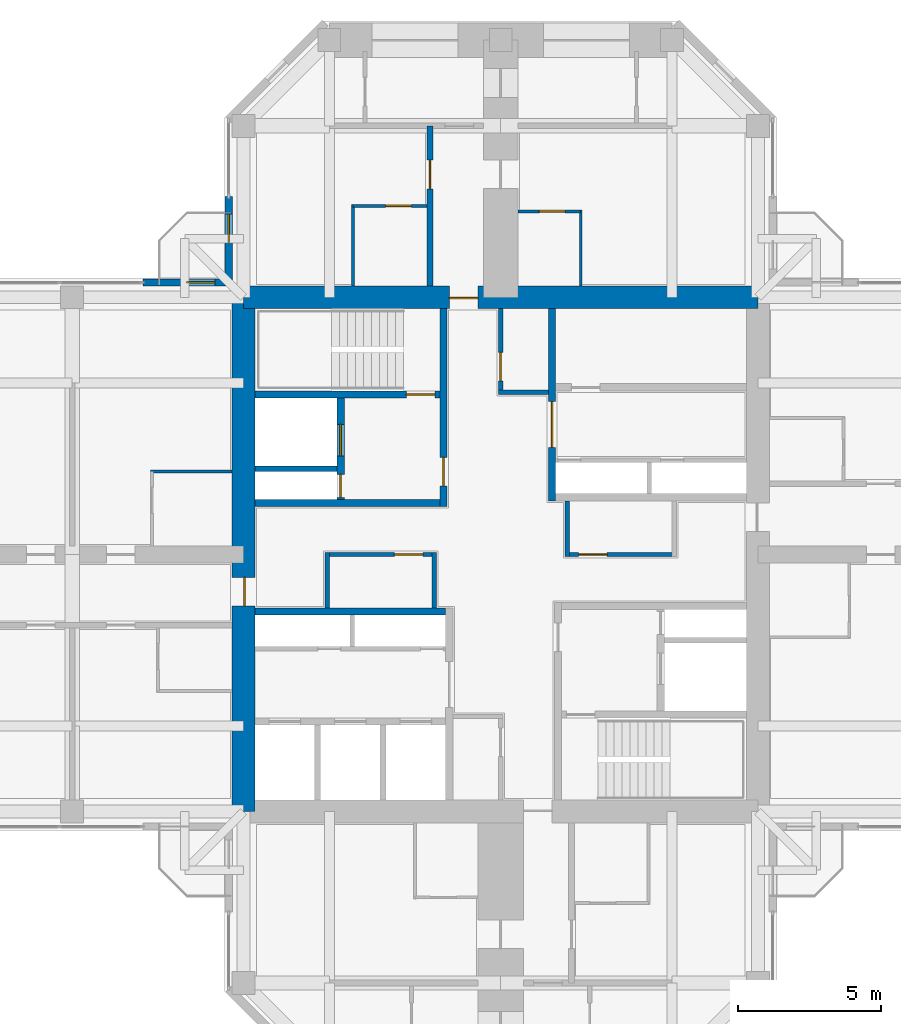
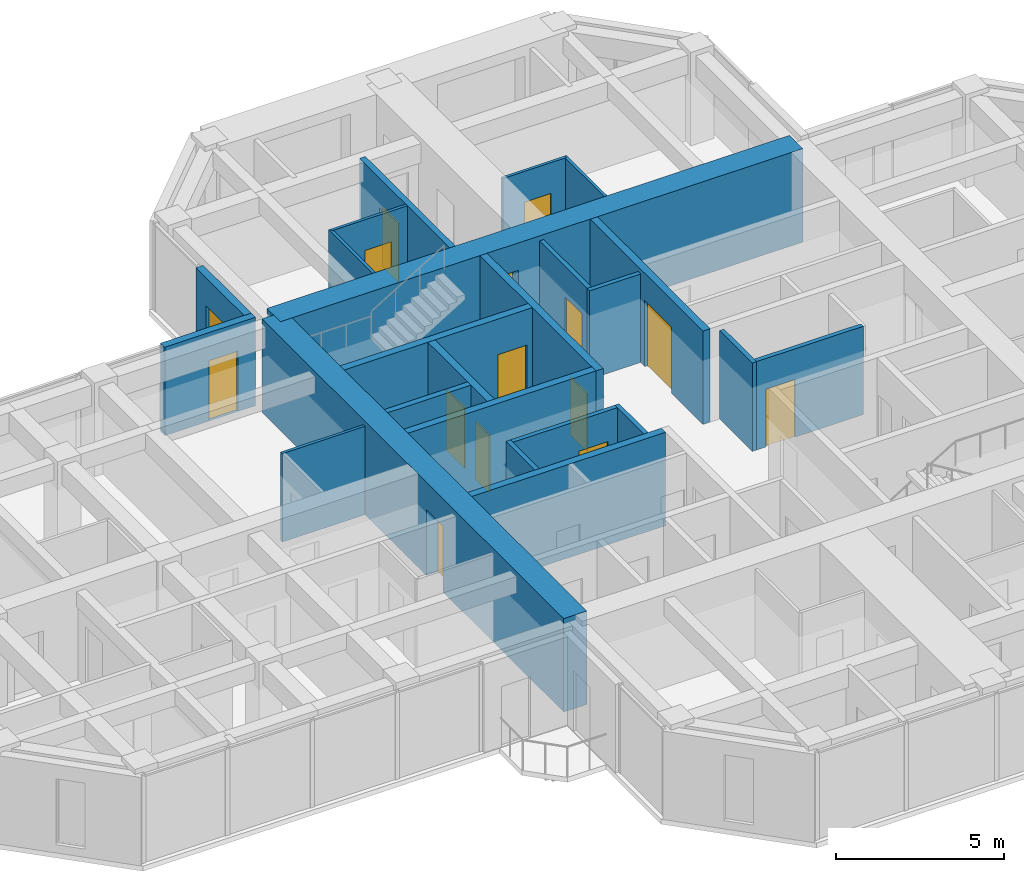
# One storey, part 10 of 14: 24 walls, 15 doors, 15 openings.
"""IFC4 building model written with IfcOpenShell, lengths in metres."""

from ifc_helpers import new_model, si_unit, direction, frame, frame_2d, origin, place, context, subcontext, project, spatial, rectangle, hollow_rectangle, extrude, material, layer, layer_set, constituent, constituent_set, type_object, element, fill, save


model = new_model("IFC4")

# Units and contexts
model_context = context("Model", 3, precision=1e-05, world=origin(), true_north=direction((0.0, 1.0)))
body_context = subcontext(model_context, "Body", "Model", "MODEL_VIEW")
ifc_project = project(units=[si_unit("LENGTHUNIT", "METRE"), si_unit("AREAUNIT", "SQUARE_METRE"), si_unit("VOLUMEUNIT", "CUBIC_METRE"), si_unit("PLANEANGLEUNIT", "RADIAN"), si_unit("MASSUNIT", "GRAM", prefix="KILO")], contexts=[model_context])

# Site, building, storey
site_placement = place(None, origin())
site = spatial("IfcSite", under=ifc_project, at=site_placement, CompositionType="ELEMENT")
building_placement = place(site_placement, origin())
building = spatial("IfcBuilding", under=site, at=building_placement, Name="Torre Cruceta", CompositionType="ELEMENT")
storey_placement = place(building_placement, frame((0.0, 0.0, 228.89990234375)))
storey = spatial("IfcBuildingStorey", under=building, at=storey_placement, Name="L58", CompositionType="ELEMENT", Elevation=228.89990234375)

# Wall
ifc_material_1 = material(Name="Water-resistant plasterboard on steel studs", Category="steel")
ifc_layer_1 = layer(ifc_material_1, 0.10009765625)
ifc_layer_set_1 = layer_set([ifc_layer_1], Name="Water-resistant plasterboard on steel studs")
wall_type_1 = type_object("IfcWallType", Name="BATHROOM WALL 100", PredefinedType="PARTITIONING", material=ifc_layer_set_1)
wall_1_placement = place(storey_placement, frame((-5.175048828125, 9.39990234375, 0.0), z_axis=(0.0, 0.0, 1.0), x_axis=(0.0, 1.0, 0.0)))
element("IfcWall", 1, at=wall_1_placement, inside=storey, type_object=wall_type_1, Name="PT4 L58-N-U1LBB", PredefinedType="PARTITIONING", context=body_context, shape_type="SweptSolid", body=[
    extrude(rectangle(XDim=2.85009765625, YDim=0.10009765625, at=frame_2d((1.425048828125, 0.0))), origin(), (0.0, 0.0, 1.0), 3.22021484375),
])

# Wall, opening, door
wall_2_placement = place(storey_placement, frame((-2.574951171875, 12.199951171875, 0.0), z_axis=(0.0, 0.0, 1.0), x_axis=(-1.0, 0.0, 0.0)))
wall_2 = element("IfcWall", 2, at=wall_2_placement, inside=storey, type_object=wall_type_1, Name="PT4 L58-N-U1LBS", PredefinedType="PARTITIONING", context=body_context, shape_type="SweptSolid", body=[
    extrude(rectangle(XDim=2.60009765625, YDim=0.10009765625, at=frame_2d((1.300048828125, 0.0))), origin(), (0.0, 0.0, 1.0), 3.22021484375),
])
opening_1_placement = place(wall_2_placement, frame((0.550048828125, 0.0, 0.0)))
opening_1 = element("IfcOpeningElement", 3, at=opening_1_placement, cuts=wall_2, Name="Opening D7", PredefinedType="OPENING", context=body_context, shape_type="SweptSolid", body=[
    extrude(rectangle(XDim=0.89990234375, YDim=2.10009765625, at=frame_2d((0.449951171875, 1.050048828125))), frame((0.0, 0.06005859375, 0.0), z_axis=(0.0, -1.0, 0.0), x_axis=(1.0, 0.0, 0.0)), (0.0, 0.0, 1.0), 0.1201171875),
])
ifc_material_2 = material(Name="Timber door", Category="wood")
door_type_1 = type_object("IfcDoorType", Name="BATHROOM DOOR 900X2100", OperationType="SINGLE_SWING_LEFT", PredefinedType="DOOR", material=ifc_material_2)
door_1_placement = place(opening_1_placement, origin())
door_1 = element("IfcDoor", 4, at=door_1_placement, inside=storey, type_object=door_type_1, Name="D7 L58-N-U1LBS-D1", OperationType="SINGLE_SWING_LEFT", OverallHeight=2.10009765625, OverallWidth=0.89990234375, PredefinedType="DOOR", context=body_context, shape_type="SweptSolid", body=[
    extrude(rectangle(XDim=0.89990234375, YDim=2.10009765625, at=frame_2d((0.449951171875, 1.050048828125))), frame((0.0, 0.02490234375, 0.0), z_axis=(0.0, -1.0, 0.0), x_axis=(1.0, 0.0, 0.0)), (0.0, 0.0, 1.0), 0.050048828125),
])
fill(opening_1, door_1)

# Wall
wall_3_placement = place(storey_placement, frame((2.800048828125, 9.39990234375, 0.0), z_axis=(0.0, 0.0, 1.0), x_axis=(0.0, 1.0, 0.0)))
element("IfcWall", 5, at=wall_3_placement, inside=storey, type_object=wall_type_1, Name="PT4 L58-N-U1RBB", PredefinedType="PARTITIONING", context=body_context, shape_type="SweptSolid", body=[
    extrude(rectangle(XDim=2.650146484375, YDim=0.10009765625, at=frame_2d((1.3251953125, 0.0))), origin(), (0.0, 0.0, 1.0), 3.22021484375),
])

# Wall, opening, door
wall_4_placement = place(storey_placement, frame((2.800048828125, 12.0, 0.0), z_axis=(0.0, 0.0, 1.0), x_axis=(-1.0, 0.0, 0.0)))
wall_4 = element("IfcWall", 6, at=wall_4_placement, inside=storey, type_object=wall_type_1, Name="PT4 L58-N-U1RBS", PredefinedType="PARTITIONING", context=body_context, shape_type="SweptSolid", body=[
    extrude(rectangle(XDim=2.199951171875, YDim=0.10009765625, at=frame_2d((1.10009765625, 0.0))), origin(), (0.0, 0.0, 1.0), 3.22021484375),
])
opening_2_placement = place(wall_4_placement, frame((0.550048828125, 0.0, 0.0)))
opening_2 = element("IfcOpeningElement", 7, at=opening_2_placement, cuts=wall_4, Name="Opening D7", PredefinedType="OPENING", context=body_context, shape_type="SweptSolid", body=[
    extrude(rectangle(XDim=0.89990234375, YDim=2.10009765625, at=frame_2d((0.449951171875, 1.050048828125))), frame((0.0, 0.06005859375, 0.0), z_axis=(0.0, -1.0, 0.0), x_axis=(1.0, 0.0, 0.0)), (0.0, 0.0, 1.0), 0.1201171875),
])
door_2_placement = place(opening_2_placement, origin())
door_2 = element("IfcDoor", 8, at=door_2_placement, inside=storey, type_object=door_type_1, Name="D7 L58-N-U1RBS-D1", OperationType="SINGLE_SWING_LEFT", OverallHeight=2.10009765625, OverallWidth=0.89990234375, PredefinedType="DOOR", context=body_context, shape_type="SweptSolid", body=[
    extrude(rectangle(XDim=0.89990234375, YDim=2.10009765625, at=frame_2d((0.449951171875, 1.050048828125))), frame((0.0, 0.02490234375, 0.0), z_axis=(0.0, -1.0, 0.0), x_axis=(1.0, 0.0, 0.0)), (0.0, 0.0, 1.0), 0.050048828125),
])
fill(opening_2, door_2)

# Wall
wall_5_placement = place(storey_placement, frame((-9.39990234375, 2.89990234375, 0.0), z_axis=(0.0, 0.0, 1.0), x_axis=(-1.0, 0.0, 0.0)))
element("IfcWall", 9, at=wall_5_placement, inside=storey, type_object=wall_type_1, Name="PT4 L58-W-U1RBB", PredefinedType="PARTITIONING", context=body_context, shape_type="SweptSolid", body=[
    extrude(rectangle(XDim=2.85009765625, YDim=0.10009765625, at=frame_2d((1.425048828125, 0.0))), origin(), (0.0, 0.0, 1.0), 3.22021484375),
])

# Wall, opening, door
ifc_material_3 = material(Name="Concrete G60 (fck 60 MPa)", Category="concrete")
ifc_layer_2 = layer(ifc_material_3, 0.25)
ifc_layer_set_2 = layer_set([ifc_layer_2], Name="Concrete G60 (fck 60 MPa)")
wall_type_2 = type_object("IfcWallType", Name="CORE INNER WALL 250 G60", PredefinedType="SHEAR", material=ifc_layer_set_2)
wall_6_placement = place(storey_placement, frame((1.800048828125, 1.875, 0.0), z_axis=(0.0, 0.0, 1.0), x_axis=(0.0, 1.0, 0.0)))
wall_6 = element("IfcWall", 10, at=wall_6_placement, inside=storey, type_object=wall_type_2, Name="CW4 L58 NE-CU", PredefinedType="SHEAR", context=body_context, shape_type="SweptSolid", body=[
    extrude(rectangle(XDim=6.72509765625, YDim=0.25, at=frame_2d((3.362548828125, 0.0))), origin(), (0.0, 0.0, 1.0), 3.400146484375),
])
opening_3_placement = place(wall_6_placement, frame((1.875, 0.0, 0.0)))
opening_3 = element("IfcOpeningElement", 11, at=opening_3_placement, cuts=wall_6, Name="Opening D15", PredefinedType="OPENING", context=body_context, shape_type="SweptSolid", body=[
    extrude(rectangle(XDim=1.60009765625, YDim=2.39990234375, at=frame_2d((0.800048828125, 1.199951171875))), frame((0.0, 0.135009765625, 0.0), z_axis=(0.0, -1.0, 0.0), x_axis=(1.0, 0.0, 0.0)), (0.0, 0.0, 1.0), 0.27001953125),
])
ifc_material_4 = material(Name="Steel DX51D", Category="steel")
ifc_constituent_1 = constituent(ifc_material_4, Name="Leaf and frame")
ifc_material_5 = material(Name="Polyester powder coating", Category="paint")
ifc_constituent_2 = constituent(ifc_material_5, Name="Finish")
ifc_constituent_set_1 = constituent_set(constituents=[ifc_constituent_1, ifc_constituent_2], Name="Steel fire door")
door_type_2 = type_object("IfcDoorType", Name="CORE ROOM DOUBLE DOOR 1600X2400", OperationType="DOUBLE_DOOR_SINGLE_SWING", PredefinedType="DOOR", material=ifc_constituent_set_1)
door_3_placement = place(opening_3_placement, frame((1.60009765625, 0.0, 0.0), z_axis=(0.0, 0.0, 1.0), x_axis=(-1.0, 0.0, 0.0)))
door_3 = element("IfcDoor", 12, at=door_3_placement, inside=storey, type_object=door_type_2, Name="D15 L58 NE-LOBBY", OperationType="DOUBLE_DOOR_SINGLE_SWING", OverallHeight=2.39990234375, OverallWidth=1.60009765625, PredefinedType="DOOR", context=body_context, shape_type="SweptSolid", body=[
    extrude(rectangle(XDim=1.60009765625, YDim=2.39990234375, at=frame_2d((0.800048828125, 1.199951171875))), frame((0.0, 0.025146484375, 0.0), z_axis=(0.0, -1.0, 0.0), x_axis=(1.0, 0.0, 0.0)), (0.0, 0.0, 1.0), 0.050048828125),
])
fill(opening_3, door_3)

wall_7_placement = place(storey_placement, frame((-2.0, 1.675048828125, 0.0), z_axis=(0.0, 0.0, 1.0), x_axis=(0.0, 1.0, 0.0)))
wall_7 = element("IfcWall", 13, at=wall_7_placement, inside=storey, type_object=wall_type_2, Name="CW4 L58 NW-CU", PredefinedType="SHEAR", context=body_context, shape_type="SweptSolid", body=[
    extrude(rectangle(XDim=6.925048828125, YDim=0.25, at=frame_2d((3.46240234375, 0.0))), origin(), (0.0, 0.0, 1.0), 3.400146484375),
])
opening_4_placement = place(wall_7_placement, frame((0.72509765625, 0.0, 0.0)))
opening_4 = element("IfcOpeningElement", 14, at=opening_4_placement, cuts=wall_7, Name="Opening D3", PredefinedType="OPENING", context=body_context, shape_type="SweptSolid", body=[
    extrude(rectangle(XDim=1.0, YDim=2.10009765625, at=frame_2d((0.5, 1.050048828125))), frame((0.0, 0.135009765625, 0.0), z_axis=(0.0, -1.0, 0.0), x_axis=(1.0, 0.0, 0.0)), (0.0, 0.0, 1.0), 0.27001953125),
])
ifc_material_6 = material(Name="Steel DX51D", Category="steel")
ifc_constituent_3 = constituent(ifc_material_6, Name="Leaf and frame")
ifc_material_7 = material(Name="Polyester powder coating", Category="paint")
ifc_constituent_4 = constituent(ifc_material_7, Name="Finish")
ifc_constituent_set_2 = constituent_set(constituents=[ifc_constituent_3, ifc_constituent_4], Name="Steel fire door")
door_type_3 = type_object("IfcDoorType", Name="FIRE DOOR 1000X2100", OperationType="SINGLE_SWING_LEFT", PredefinedType="DOOR", material=ifc_constituent_set_2)
door_4_placement = place(opening_4_placement, origin())
door_4 = element("IfcDoor", 15, at=door_4_placement, inside=storey, type_object=door_type_3, Name="D3 L58 NW-LOBBY", OperationType="SINGLE_SWING_LEFT", OverallHeight=2.10009765625, OverallWidth=1.0, PredefinedType="DOOR", context=body_context, shape_type="SweptSolid", body=[
    extrude(rectangle(XDim=1.0, YDim=2.10009765625, at=frame_2d((0.5, 1.050048828125))), frame((0.0, 0.02490234375, 0.0), z_axis=(0.0, -1.0, 0.0), x_axis=(1.0, 0.0, 0.0)), (0.0, 0.0, 1.0), 0.050048828125),
])
fill(opening_4, door_4)

# Wall
wall_8_placement = place(storey_placement, frame((-2.125, 1.800048828125, 0.0), z_axis=(0.0, 0.0, 1.0), x_axis=(-1.0, 0.0, 0.0)))
element("IfcWall", 16, at=wall_8_placement, inside=storey, type_object=wall_type_2, Name="CW4 L58 NW-CV", PredefinedType="SHEAR", context=body_context, shape_type="SweptSolid", body=[
    extrude(rectangle(XDim=6.47509765625, YDim=0.25, at=frame_2d((3.237548828125, 0.0))), origin(), (0.0, 0.0, 1.0), 3.400146484375),
])

# Wall, opening, door
wall_9_placement = place(storey_placement, frame((-2.125, 5.60009765625, 0.0), z_axis=(0.0, 0.0, 1.0), x_axis=(-1.0, 0.0, 0.0)))
wall_9 = element("IfcWall", 17, at=wall_9_placement, inside=storey, type_object=wall_type_2, Name="CW4 L58 NW-SV", PredefinedType="SHEAR", context=body_context, shape_type="SweptSolid", body=[
    extrude(rectangle(XDim=6.47509765625, YDim=0.25, at=frame_2d((3.237548828125, 0.0))), origin(), (0.0, 0.0, 1.0), 3.400146484375),
])
opening_5_placement = place(wall_9_placement, frame((0.175048828125, 0.0, 0.0)))
opening_5 = element("IfcOpeningElement", 18, at=opening_5_placement, cuts=wall_9, Name="Opening D3", PredefinedType="OPENING", context=body_context, shape_type="SweptSolid", body=[
    extrude(rectangle(XDim=1.0, YDim=2.10009765625, at=frame_2d((0.5, 1.050048828125))), frame((0.0, 0.135009765625, 0.0), z_axis=(0.0, -1.0, 0.0), x_axis=(1.0, 0.0, 0.0)), (0.0, 0.0, 1.0), 0.27001953125),
])
door_5_placement = place(opening_5_placement, frame((1.0, 0.0, 0.0), z_axis=(0.0, 0.0, 1.0), x_axis=(-1.0, 0.0, 0.0)))
door_5 = element("IfcDoor", 19, at=door_5_placement, inside=storey, type_object=door_type_3, Name="D3 L58 NW-STAIR", OperationType="SINGLE_SWING_RIGHT", OverallHeight=2.10009765625, OverallWidth=1.0, PredefinedType="DOOR", context=body_context, shape_type="SweptSolid", body=[
    extrude(rectangle(XDim=1.0, YDim=2.10009765625, at=frame_2d((0.5, 1.050048828125))), frame((0.0, 0.025146484375, 0.0), z_axis=(0.0, -1.0, 0.0), x_axis=(1.0, 0.0, 0.0)), (0.0, 0.0, 1.0), 0.050048828125),
])
fill(opening_5, door_5)

# Wall, openings, doors
wall_10_placement = place(storey_placement, frame((-5.60009765625, 1.925048828125, 0.0), z_axis=(0.0, 0.0, 1.0), x_axis=(0.0, 1.0, 0.0)))
wall_10 = element("IfcWall", 20, at=wall_10_placement, inside=storey, type_object=wall_type_2, Name="CW4 L58 NW-FU", PredefinedType="SHEAR", context=body_context, shape_type="SweptSolid", body=[
    extrude(rectangle(XDim=3.550048828125, YDim=0.25, at=frame_2d((1.77490234375, 0.0))), origin(), (0.0, 0.0, 1.0), 3.400146484375),
])
opening_6_placement = place(wall_10_placement, frame((1.52490234375, 0.0, 0.0)))
opening_6 = element("IfcOpeningElement", 21, at=opening_6_placement, cuts=wall_10, Name="Opening LD1", PredefinedType="OPENING", context=body_context, shape_type="SweptSolid", body=[
    extrude(rectangle(XDim=1.10009765625, YDim=2.199951171875, at=frame_2d((0.550048828125, 1.10009765625))), frame((0.0, 0.135009765625, 0.0), z_axis=(0.0, -1.0, 0.0), x_axis=(1.0, 0.0, 0.0)), (0.0, 0.0, 1.0), 0.27001953125),
])
opening_7_placement = place(wall_10_placement, frame((0.074951171875, 0.0, 0.0)))
opening_7 = element("IfcOpeningElement", 22, at=opening_7_placement, cuts=wall_10, Name="Opening D5", PredefinedType="OPENING", context=body_context, shape_type="SweptSolid", body=[
    extrude(rectangle(XDim=0.800048828125, YDim=2.10009765625, at=frame_2d((0.39990234375, 1.050048828125))), frame((0.0, 0.135009765625, 0.0), z_axis=(0.0, -1.0, 0.0), x_axis=(1.0, 0.0, 0.0)), (0.0, 0.0, 1.0), 0.27001953125),
])
ifc_material_8 = material(Name="Stainless steel 1.4401", Category="steel")
door_type_4 = type_object("IfcDoorType", Name="LIFT LANDING DOOR 1100X2200", OperationType="DOUBLE_DOOR_SLIDING", PredefinedType="DOOR", material=ifc_material_8)
door_6_placement = place(opening_6_placement, origin())
door_6 = element("IfcDoor", 23, at=door_6_placement, inside=storey, type_object=door_type_4, Name="Lift landing door FL1", OperationType="DOUBLE_DOOR_SLIDING", OverallHeight=2.199951171875, OverallWidth=1.10009765625, PredefinedType="DOOR", context=body_context, shape_type="SweptSolid", body=[
    extrude(rectangle(XDim=1.10009765625, YDim=2.199951171875, at=frame_2d((0.550048828125, 1.10009765625))), frame((0.0, 0.02490234375, 0.0), z_axis=(0.0, -1.0, 0.0), x_axis=(1.0, 0.0, 0.0)), (0.0, 0.0, 1.0), 0.050048828125),
])
fill(opening_6, door_6)
ifc_material_9 = material(Name="Steel DX51D", Category="steel")
ifc_constituent_5 = constituent(ifc_material_9, Name="Leaf and frame")
ifc_material_10 = material(Name="Polyester powder coating", Category="paint")
ifc_constituent_6 = constituent(ifc_material_10, Name="Finish")
ifc_constituent_set_3 = constituent_set(constituents=[ifc_constituent_5, ifc_constituent_6], Name="Steel fire door")
door_type_5 = type_object("IfcDoorType", Name="RISER ACCESS DOOR 800X2100", OperationType="SINGLE_SWING_LEFT", PredefinedType="DOOR", material=ifc_constituent_set_3)
door_7_placement = place(opening_7_placement, origin())
door_7 = element("IfcDoor", 24, at=door_7_placement, inside=storey, type_object=door_type_5, Name="D5 L58 NW-RISER", OperationType="SINGLE_SWING_LEFT", OverallHeight=2.10009765625, OverallWidth=0.800048828125, PredefinedType="DOOR", context=body_context, shape_type="SweptSolid", body=[
    extrude(rectangle(XDim=0.800048828125, YDim=2.10009765625, at=frame_2d((0.39990234375, 1.050048828125))), frame((0.0, 0.02490234375, 0.0), z_axis=(0.0, -1.0, 0.0), x_axis=(1.0, 0.0, 0.0)), (0.0, 0.0, 1.0), 0.050048828125),
])
fill(opening_7, door_7)

# Wall
wall_11_placement = place(storey_placement, frame((-1.925048828125, -2.0, 0.0), z_axis=(0.0, 0.0, 1.0), x_axis=(-1.0, 0.0, 0.0)))
element("IfcWall", 25, at=wall_11_placement, inside=storey, type_object=wall_type_2, Name="CW4 L58 SW-CV", PredefinedType="SHEAR", context=body_context, shape_type="SweptSolid", body=[
    extrude(rectangle(XDim=6.675048828125, YDim=0.25, at=frame_2d((3.33740234375, 0.0))), origin(), (0.0, 0.0, 1.0), 3.400146484375),
])

# Wall, opening, door
ifc_material_11 = material(Name="Concrete G60 (fck 60 MPa)", Category="concrete")
ifc_layer_3 = layer(ifc_material_11, 0.800048828125)
ifc_layer_set_3 = layer_set([ifc_layer_3], Name="Concrete G60 (fck 60 MPa)")
wall_type_3 = type_object("IfcWallType", Name="CORE WALL 800 G60", PredefinedType="SHEAR", material=ifc_layer_set_3)
wall_12_placement = place(storey_placement, frame((9.0, 9.0, 0.0), z_axis=(0.0, 0.0, 1.0), x_axis=(-1.0, 0.0, 0.0)))
wall_12 = element("IfcWall", 26, at=wall_12_placement, inside=storey, type_object=wall_type_3, Name="CW3 L58 CW-N", PredefinedType="SHEAR", context=body_context, shape_type="SweptSolid", body=[
    extrude(rectangle(XDim=18.0, YDim=0.800048828125, at=frame_2d((9.0, 0.0))), origin(), (0.0, 0.0, 1.0), 3.400146484375),
])
opening_8_placement = place(wall_12_placement, frame((9.800048828125, 0.0, 0.0)))
opening_8 = element("IfcOpeningElement", 27, at=opening_8_placement, cuts=wall_12, Name="Opening D4", PredefinedType="OPENING", context=body_context, shape_type="SweptSolid", body=[
    extrude(rectangle(XDim=1.0, YDim=2.39990234375, at=frame_2d((0.5, 1.199951171875))), frame((0.0, 0.409912109375, 0.0), z_axis=(0.0, -1.0, 0.0), x_axis=(1.0, 0.0, 0.0)), (0.0, 0.0, 1.0), 0.820068359375),
])
ifc_material_12 = material(Name="Steel DX51D", Category="steel")
ifc_constituent_7 = constituent(ifc_material_12, Name="Leaf and frame")
ifc_material_13 = material(Name="Polyester powder coating", Category="paint")
ifc_constituent_8 = constituent(ifc_material_13, Name="Finish")
ifc_constituent_set_4 = constituent_set(constituents=[ifc_constituent_7, ifc_constituent_8], Name="Steel fire door")
door_type_6 = type_object("IfcDoorType", Name="CORE ARM DOOR 1000X2400", OperationType="SINGLE_SWING_RIGHT", PredefinedType="DOOR", material=ifc_constituent_set_4)
door_8_placement = place(opening_8_placement, origin())
door_8 = element("IfcDoor", 28, at=door_8_placement, inside=storey, type_object=door_type_6, Name="D4 L58 CW-N", OperationType="SINGLE_SWING_RIGHT", OverallHeight=2.39990234375, OverallWidth=1.0, PredefinedType="DOOR", context=body_context, shape_type="SweptSolid", body=[
    extrude(rectangle(XDim=1.0, YDim=2.39990234375, at=frame_2d((0.5, 1.199951171875))), frame((0.0, 0.05517578125, 0.0), z_axis=(0.0, -1.0, 0.0), x_axis=(1.0, 0.0, 0.0)), (0.0, 0.0, 1.0), 0.050048828125),
])
fill(opening_8, door_8)

wall_13_placement = place(storey_placement, frame((-9.0, 9.0, 0.0), z_axis=(0.0, 0.0, 1.0), x_axis=(0.0, -1.0, 0.0)))
wall_13 = element("IfcWall", 29, at=wall_13_placement, inside=storey, type_object=wall_type_3, Name="CW3 L58 CW-W", PredefinedType="SHEAR", context=body_context, shape_type="SweptSolid", body=[
    extrude(rectangle(XDim=18.0, YDim=0.800048828125, at=frame_2d((9.0, 0.0))), origin(), (0.0, 0.0, 1.0), 3.400146484375),
])
opening_9_placement = place(wall_13_placement, frame((9.800048828125, 0.0, 0.0)))
opening_9 = element("IfcOpeningElement", 30, at=opening_9_placement, cuts=wall_13, Name="Opening D4", PredefinedType="OPENING", context=body_context, shape_type="SweptSolid", body=[
    extrude(rectangle(XDim=1.0, YDim=2.39990234375, at=frame_2d((0.5, 1.199951171875))), frame((0.0, 0.409912109375, 0.0), z_axis=(0.0, -1.0, 0.0), x_axis=(1.0, 0.0, 0.0)), (0.0, 0.0, 1.0), 0.820068359375),
])
door_9_placement = place(opening_9_placement, origin())
door_9 = element("IfcDoor", 31, at=door_9_placement, inside=storey, type_object=door_type_6, Name="D4 L58 CW-W", OperationType="SINGLE_SWING_RIGHT", OverallHeight=2.39990234375, OverallWidth=1.0, PredefinedType="DOOR", context=body_context, shape_type="SweptSolid", body=[
    extrude(rectangle(XDim=1.0, YDim=2.39990234375, at=frame_2d((0.5, 1.199951171875))), frame((0.0, 0.05517578125, 0.0), z_axis=(0.0, -1.0, 0.0), x_axis=(1.0, 0.0, 0.0)), (0.0, 0.0, 1.0), 0.050048828125),
])
fill(opening_9, door_9)

ifc_material_14 = material(Name="Concrete G25 (fck 25 MPa)", Category="concrete")
ifc_layer_4 = layer(ifc_material_14, 0.199951171875)
ifc_layer_set_4 = layer_set([ifc_layer_4], Name="Concrete G25 (fck 25 MPa)")
wall_type_4 = type_object("IfcWallType", Name="CORRIDOR WALL 200", PredefinedType="SOLIDWALL", material=ifc_layer_set_4)
wall_14_placement = place(storey_placement, frame((-2.47509765625, 9.39990234375, 0.0), z_axis=(0.0, 0.0, 1.0), x_axis=(0.0, 1.0, 0.0)))
wall_14 = element("IfcWall", 32, at=wall_14_placement, inside=storey, type_object=wall_type_4, Name="PT3 L58-N-CL", PredefinedType="SOLIDWALL", context=body_context, shape_type="SweptSolid", body=[
    extrude(rectangle(XDim=5.60009765625, YDim=0.199951171875, at=frame_2d((2.800048828125, 0.0))), origin(), (0.0, 0.0, 1.0), 3.22021484375),
])
opening_10_placement = place(wall_14_placement, frame((3.39990234375, 0.0, 0.0)))
opening_10 = element("IfcOpeningElement", 33, at=opening_10_placement, cuts=wall_14, Name="Opening D6", PredefinedType="OPENING", context=body_context, shape_type="SweptSolid", body=[
    extrude(rectangle(XDim=1.0, YDim=2.14990234375, at=frame_2d((0.5, 1.074951171875))), frame((0.0, 0.10986328125, 0.0), z_axis=(0.0, -1.0, 0.0), x_axis=(1.0, 0.0, 0.0)), (0.0, 0.0, 1.0), 0.219970703125),
])
ifc_material_15 = material(Name="Timber fire door", Category="wood")
door_type_7 = type_object("IfcDoorType", Name="UNIT ENTRANCE DOOR 1000X2150", OperationType="SINGLE_SWING_LEFT", PredefinedType="DOOR", material=ifc_material_15)
door_10_placement = place(opening_10_placement, origin())
door_10 = element("IfcDoor", 34, at=door_10_placement, inside=storey, type_object=door_type_7, Name="D6 L58-N-CL-D1", OperationType="SINGLE_SWING_LEFT", OverallHeight=2.14990234375, OverallWidth=1.0, PredefinedType="DOOR", context=body_context, shape_type="SweptSolid", body=[
    extrude(rectangle(XDim=1.0, YDim=2.14990234375, at=frame_2d((0.5, 1.074951171875))), frame((0.0, 0.02490234375, 0.0), z_axis=(0.0, -1.0, 0.0), x_axis=(1.0, 0.0, 0.0)), (0.0, 0.0, 1.0), 0.050048828125),
])
fill(opening_10, door_10)

# Wall
ifc_material_16 = material(Name="Concrete G35 (fck 35 MPa)", Category="concrete")
ifc_layer_5 = layer(ifc_material_16, 0.199951171875)
ifc_layer_set_5 = layer_set([ifc_layer_5], Name="Concrete G35 (fck 35 MPa)")
wall_type_5 = type_object("IfcWallType", Name="LIFT SHAFT WALL 200", PredefinedType="PARTITIONING", material=ifc_layer_set_5)
wall_15_placement = place(storey_placement, frame((-5.72509765625, 3.0, 0.0), z_axis=(0.0, 0.0, 1.0), x_axis=(-1.0, 0.0, 0.0)))
element("IfcWall", 35, at=wall_15_placement, inside=storey, type_object=wall_type_5, Name="SW1 L58 NW-FR", PredefinedType="PARTITIONING", context=body_context, shape_type="SweptSolid", body=[
    extrude(rectangle(XDim=2.875, YDim=0.199951171875, at=frame_2d((1.4375, 0.0))), origin(), (0.0, 0.0, 1.0), 3.400146484375),
])

# Wall, opening, door
ifc_material_17 = material(Name="Plasterboard on steel studs", Category="steel")
ifc_layer_6 = layer(ifc_material_17, 0.14990234375)
ifc_layer_set_6 = layer_set([ifc_layer_6], Name="Plasterboard on steel studs")
wall_type_6 = type_object("IfcWallType", Name="PARTITION 150", PredefinedType="PARTITIONING", material=ifc_layer_set_6)
wall_16_placement = place(storey_placement, frame((2.324951171875, 0.0, 0.0), z_axis=(0.0, 0.0, 1.0), x_axis=(1.0, 0.0, 0.0)))
wall_16 = element("IfcWall", 36, at=wall_16_placement, inside=storey, type_object=wall_type_6, Name="PT1 L58-CORE-LEGE-N-W1", PredefinedType="PARTITIONING", context=body_context, shape_type="SweptSolid", body=[
    extrude(rectangle(XDim=3.75, YDim=0.14990234375, at=frame_2d((1.875, 0.0))), origin(), (0.0, 0.0, 1.0), 3.22021484375),
])
opening_11_placement = place(wall_16_placement, frame((0.39990234375, 0.0, 0.0)))
opening_11 = element("IfcOpeningElement", 37, at=opening_11_placement, cuts=wall_16, Name="Opening D3", PredefinedType="OPENING", context=body_context, shape_type="SweptSolid", body=[
    extrude(rectangle(XDim=1.0, YDim=2.10009765625, at=frame_2d((0.5, 1.050048828125))), frame((0.0, 0.0849609375, 0.0), z_axis=(0.0, -1.0, 0.0), x_axis=(1.0, 0.0, 0.0)), (0.0, 0.0, 1.0), 0.169921875),
])
door_11_placement = place(opening_11_placement, origin())
door_11 = element("IfcDoor", 38, at=door_11_placement, inside=storey, type_object=door_type_3, Name="D3 L58-CORE-LEGE-N-W1-D1", OperationType="SINGLE_SWING_LEFT", OverallHeight=2.10009765625, OverallWidth=1.0, PredefinedType="DOOR", context=body_context, shape_type="SweptSolid", body=[
    extrude(rectangle(XDim=1.0, YDim=2.10009765625, at=frame_2d((0.5, 1.050048828125))), frame((0.0, 0.02490234375, 0.0), z_axis=(0.0, -1.0, 0.0), x_axis=(1.0, 0.0, 0.0)), (0.0, 0.0, 1.0), 0.050048828125),
])
fill(opening_11, door_11)

# Wall
wall_17_placement = place(storey_placement, frame((2.324951171875, 1.875, 0.0), z_axis=(0.0, 0.0, 1.0), x_axis=(0.0, -1.0, 0.0)))
element("IfcWall", 39, at=wall_17_placement, inside=storey, type_object=wall_type_6, Name="PT1 L58-CORE-LEGE-N-W2", PredefinedType="PARTITIONING", context=body_context, shape_type="SweptSolid", body=[
    extrude(rectangle(XDim=1.949951171875, YDim=0.14990234375, at=frame_2d((0.97509765625, 0.0))), origin(), (0.0, 0.0, 1.0), 3.22021484375),
])

# Wall, opening, door
wall_18_placement = place(storey_placement, frame((-2.324951171875, 0.0, 0.0), z_axis=(0.0, 0.0, 1.0), x_axis=(-1.0, 0.0, 0.0)))
wall_18 = element("IfcWall", 40, at=wall_18_placement, inside=storey, type_object=wall_type_6, Name="PT1 L58-CORE-LEGW-S-W1", PredefinedType="PARTITIONING", context=body_context, shape_type="SweptSolid", body=[
    extrude(rectangle(XDim=3.75, YDim=0.14990234375, at=frame_2d((1.875, 0.0))), origin(), (0.0, 0.0, 1.0), 3.22021484375),
])
opening_12_placement = place(wall_18_placement, frame((0.39990234375, 0.0, 0.0)))
opening_12 = element("IfcOpeningElement", 41, at=opening_12_placement, cuts=wall_18, Name="Opening D3", PredefinedType="OPENING", context=body_context, shape_type="SweptSolid", body=[
    extrude(rectangle(XDim=1.0, YDim=2.10009765625, at=frame_2d((0.5, 1.050048828125))), frame((0.0, 0.0849609375, 0.0), z_axis=(0.0, -1.0, 0.0), x_axis=(1.0, 0.0, 0.0)), (0.0, 0.0, 1.0), 0.169921875),
])
door_12_placement = place(opening_12_placement, origin())
door_12 = element("IfcDoor", 42, at=door_12_placement, inside=storey, type_object=door_type_3, Name="D3 L58-CORE-LEGW-S-W1-D1", OperationType="SINGLE_SWING_LEFT", OverallHeight=2.10009765625, OverallWidth=1.0, PredefinedType="DOOR", context=body_context, shape_type="SweptSolid", body=[
    extrude(rectangle(XDim=1.0, YDim=2.10009765625, at=frame_2d((0.5, 1.050048828125))), frame((0.0, 0.02490234375, 0.0), z_axis=(0.0, -1.0, 0.0), x_axis=(1.0, 0.0, 0.0)), (0.0, 0.0, 1.0), 0.050048828125),
])
fill(opening_12, door_12)

# Walls
for number, where, z_axis, x_axis, name in (
    (43, (-2.324951171875, -1.875, 0.0), (0.0, 0.0, 1.0), (0.0, 1.0, 0.0), "PT1 L58-CORE-LEGW-S-W2"),
    (44, (-6.074951171875, 0.074951171875, 0.0), (0.0, 0.0, 1.0), (0.0, -1.0, 0.0), "PT1 L58-CORE-LEGW-S-W3"),
):
    element("IfcWall", number, at=place(storey_placement, frame(where, z_axis=z_axis, x_axis=x_axis)), inside=storey, type_object=wall_type_6, Name=name, PredefinedType="PARTITIONING", context=body_context, shape_type="SweptSolid", body=[
        extrude(rectangle(XDim=1.949951171875, YDim=0.14990234375, at=frame_2d((0.97509765625, 0.0))), origin(), (0.0, 0.0, 1.0), 3.22021484375),
    ])

# Wall, opening, door
wall_19_placement = place(storey_placement, frame((0.0, 5.675048828125, 0.0), z_axis=(0.0, 0.0, 1.0), x_axis=(0.0, 1.0, 0.0)))
wall_19 = element("IfcWall", 45, at=wall_19_placement, inside=storey, type_object=wall_type_6, Name="PT1 L58-CORE-LEGN-E-W1", PredefinedType="PARTITIONING", context=body_context, shape_type="SweptSolid", body=[
    extrude(rectangle(XDim=2.925048828125, YDim=0.14990234375, at=frame_2d((1.46240234375, 0.0))), origin(), (0.0, 0.0, 1.0), 3.22021484375),
])
opening_13_placement = place(wall_19_placement, frame((0.39990234375, 0.0, 0.0)))
opening_13 = element("IfcOpeningElement", 46, at=opening_13_placement, cuts=wall_19, Name="Opening D3", PredefinedType="OPENING", context=body_context, shape_type="SweptSolid", body=[
    extrude(rectangle(XDim=1.0, YDim=2.10009765625, at=frame_2d((0.5, 1.050048828125))), frame((0.0, 0.0849609375, 0.0), z_axis=(0.0, -1.0, 0.0), x_axis=(1.0, 0.0, 0.0)), (0.0, 0.0, 1.0), 0.169921875),
])
door_13_placement = place(opening_13_placement, frame((1.0, 0.0, 0.0), z_axis=(0.0, 0.0, 1.0), x_axis=(-1.0, 0.0, 0.0)))
door_13 = element("IfcDoor", 47, at=door_13_placement, inside=storey, type_object=door_type_3, Name="D3 L58-CORE-LEGN-E-W1-D1", OperationType="SINGLE_SWING_RIGHT", OverallHeight=2.10009765625, OverallWidth=1.0, PredefinedType="DOOR", context=body_context, shape_type="SweptSolid", body=[
    extrude(rectangle(XDim=1.0, YDim=2.10009765625, at=frame_2d((0.5, 1.050048828125))), frame((0.0, 0.025146484375, 0.0), z_axis=(0.0, -1.0, 0.0), x_axis=(1.0, 0.0, 0.0)), (0.0, 0.0, 1.0), 0.050048828125),
])
fill(opening_13, door_13)

# Wall
wall_20_placement = place(storey_placement, frame((1.675048828125, 5.675048828125, 0.0), z_axis=(0.0, 0.0, 1.0), x_axis=(-1.0, 0.0, 0.0)))
element("IfcWall", 48, at=wall_20_placement, inside=storey, type_object=wall_type_6, Name="PT1 L58-CORE-LEGN-E-W2", PredefinedType="PARTITIONING", context=body_context, shape_type="SweptSolid", body=[
    extrude(rectangle(XDim=1.75, YDim=0.14990234375, at=frame_2d((0.875, 0.0))), origin(), (0.0, 0.0, 1.0), 3.22021484375),
])

# Wall, opening, door
ifc_material_18 = material(Name="Concrete G30 (fck 30 MPa)", Category="concrete")
ifc_layer_7 = layer(ifc_material_18, 0.25)
ifc_layer_set_7 = layer_set([ifc_layer_7], Name="Concrete G30 (fck 30 MPa)")
wall_type_7 = type_object("IfcWallType", Name="WINTER GARDEN WALL 250", PredefinedType="SOLIDWALL", material=ifc_layer_set_7)
wall_21_placement = place(storey_placement, frame((-9.52001953125, 12.52001953125, 0.0), z_axis=(0.0, 0.0, 1.0), x_axis=(0.0, -1.0, 0.0)))
wall_21 = element("IfcWall", 49, at=wall_21_placement, inside=storey, type_object=wall_type_7, Name="EW2 winter garden wall L58 09", PredefinedType="SOLIDWALL", context=body_context, shape_type="SweptSolid", body=[
    extrude(rectangle(XDim=2.875, YDim=0.25, at=frame_2d((1.4375, 0.0))), origin(), (0.0, 0.0, 1.0), 3.22021484375),
])
opening_14_placement = place(wall_21_placement, frame((0.60009765625, 0.0, 0.0)))
opening_14 = element("IfcOpeningElement", 50, at=opening_14_placement, cuts=wall_21, Name="Opening D10", PredefinedType="OPENING", context=body_context, shape_type="SweptSolid", body=[
    extrude(rectangle(XDim=1.0, YDim=2.199951171875, at=frame_2d((0.5, 1.10009765625))), frame((0.0, 0.135009765625, 0.0), z_axis=(0.0, -1.0, 0.0), x_axis=(1.0, 0.0, 0.0)), (0.0, 0.0, 1.0), 0.27001953125),
])
ifc_material_19 = material(Name="Aluminium door frame", Category="aluminium")
ifc_constituent_9 = constituent(ifc_material_19, Name="Frame")
ifc_material_20 = material(Name="Laminated safety glass", Category="glass")
ifc_constituent_10 = constituent(ifc_material_20, Name="Glazing")
ifc_constituent_set_5 = constituent_set(constituents=[ifc_constituent_9, ifc_constituent_10], Name="Aluminium glazed door")
door_type_8 = type_object("IfcDoorType", Name="BALCONY DOOR 1000X2200", OperationType="SINGLE_SWING_RIGHT", PredefinedType="DOOR", material=ifc_constituent_set_5)
door_14_placement = place(opening_14_placement, origin())
door_14 = element("IfcDoor", 51, at=door_14_placement, inside=storey, type_object=door_type_8, Name="D10 balcony door L58 09", OperationType="SINGLE_SWING_RIGHT", OverallHeight=2.199951171875, OverallWidth=1.0, PredefinedType="DOOR", context=body_context, shape_type="SweptSolid", body=[
    extrude(hollow_rectangle(XDim=1.0, YDim=2.199951171875, WallThickness=0.06005859375, at=frame_2d((0.5, 1.10009765625))), frame((0.0, 0.02490234375, 0.0), z_axis=(0.0, -1.0, 0.0), x_axis=(1.0, 0.0, 0.0)), (0.0, 0.0, 1.0), 0.050048828125),
    extrude(rectangle(XDim=0.87890625, YDim=2.078857421875, at=frame_2d((0.5, 1.10009765625))), frame((0.0, 0.02490234375, 0.0), z_axis=(0.0, -1.0, 0.0), x_axis=(1.0, 0.0, 0.0)), (0.0, 0.0, 1.0), 0.050048828125),
])
fill(opening_14, door_14)

wall_22_placement = place(storey_placement, frame((-9.39501953125, 9.52001953125, 0.0), z_axis=(0.0, 0.0, 1.0), x_axis=(-1.0, 0.0, 0.0)))
wall_22 = element("IfcWall", 52, at=wall_22_placement, inside=storey, type_object=wall_type_7, Name="EW2 winter garden wall L58 10", PredefinedType="SOLIDWALL", context=body_context, shape_type="SweptSolid", body=[
    extrude(rectangle(XDim=3.125, YDim=0.25, at=frame_2d((1.5625, 0.0))), origin(), (0.0, 0.0, 1.0), 3.22021484375),
])
opening_15_placement = place(wall_22_placement, frame((0.60009765625, 0.0, 0.0)))
opening_15 = element("IfcOpeningElement", 53, at=opening_15_placement, cuts=wall_22, Name="Opening D10", PredefinedType="OPENING", context=body_context, shape_type="SweptSolid", body=[
    extrude(rectangle(XDim=1.0, YDim=2.199951171875, at=frame_2d((0.5, 1.10009765625))), frame((0.0, 0.135009765625, 0.0), z_axis=(0.0, -1.0, 0.0), x_axis=(1.0, 0.0, 0.0)), (0.0, 0.0, 1.0), 0.27001953125),
])
door_15_placement = place(opening_15_placement, origin())
door_15 = element("IfcDoor", 54, at=door_15_placement, inside=storey, type_object=door_type_8, Name="D10 balcony door L58 10", OperationType="SINGLE_SWING_LEFT", OverallHeight=2.199951171875, OverallWidth=1.0, PredefinedType="DOOR", context=body_context, shape_type="SweptSolid", body=[
    extrude(hollow_rectangle(XDim=1.0, YDim=2.199951171875, WallThickness=0.06005859375, at=frame_2d((0.5, 1.10009765625))), frame((0.0, 0.02490234375, 0.0), z_axis=(0.0, -1.0, 0.0), x_axis=(1.0, 0.0, 0.0)), (0.0, 0.0, 1.0), 0.050048828125),
    extrude(rectangle(XDim=0.87890625, YDim=2.078857421875, at=frame_2d((0.5, 1.10009765625))), frame((0.0, 0.02490234375, 0.0), z_axis=(0.0, -1.0, 0.0), x_axis=(1.0, 0.0, 0.0)), (0.0, 0.0, 1.0), 0.050048828125),
])
fill(opening_15, door_15)

save(model, "model.ifc")
